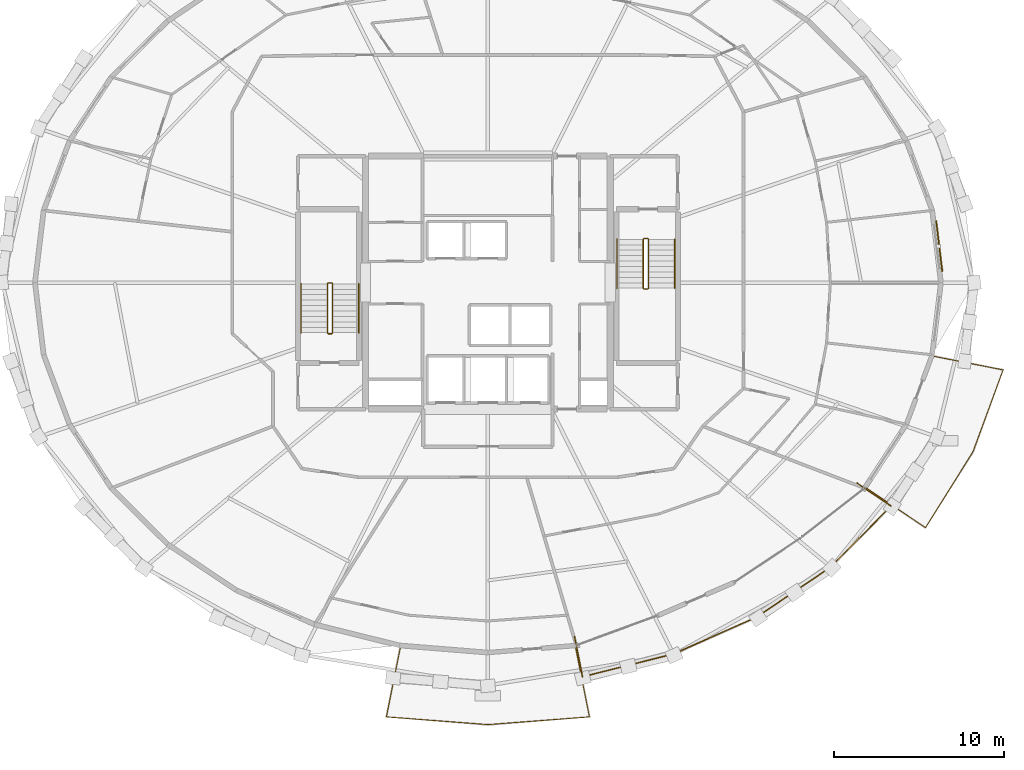
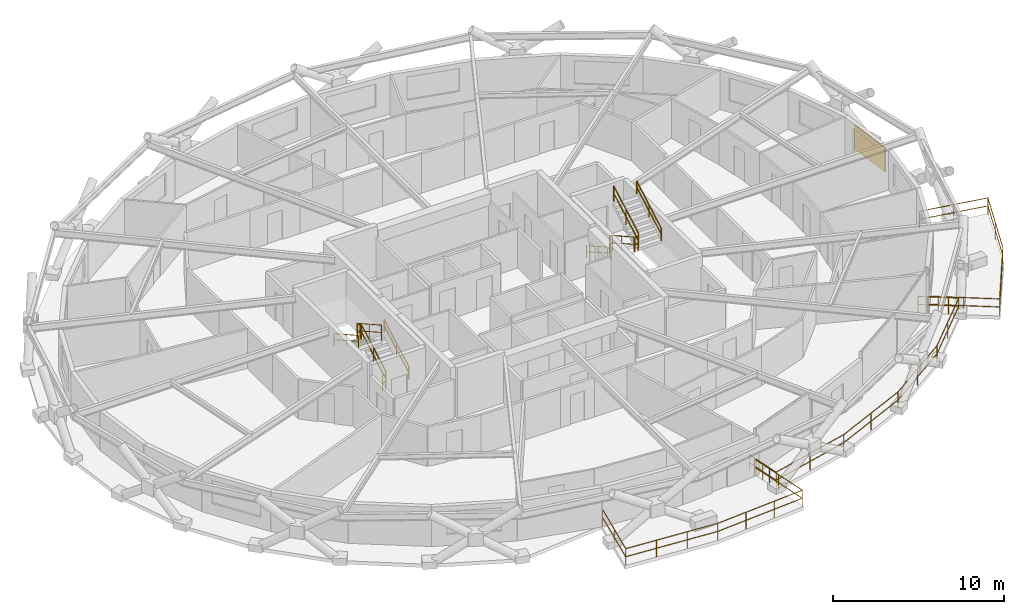
# One storey, part 12 of 12: 17 railings, 1 shading device.
"""IFC4 building model written with IfcOpenShell, lengths in metres."""

from ifc_helpers import new_model, si_unit, direction, frame, origin, origin_2d, place, context, subcontext, project, spatial, rectangle, circle, extrude, material, layer, layer_set, type_object, element, save


model = new_model("IFC4")

# Units and contexts
model_context = context("Model", 3, precision=1e-05, world=origin(), true_north=direction((0.0, 1.0)))
body_context = subcontext(model_context, "Body", "Model", "MODEL_VIEW")
ifc_project = project(units=[si_unit("LENGTHUNIT", "METRE"), si_unit("AREAUNIT", "SQUARE_METRE"), si_unit("VOLUMEUNIT", "CUBIC_METRE"), si_unit("PLANEANGLEUNIT", "RADIAN"), si_unit("MASSUNIT", "GRAM", prefix="KILO")], contexts=[model_context])

# Site, building, storey
site_placement = place(None, origin())
site = spatial("IfcSite", under=ifc_project, at=site_placement, CompositionType="ELEMENT")
building_placement = place(site_placement, origin())
building = spatial("IfcBuilding", under=site, at=building_placement, Name="Veldorina Hangang Commons", CompositionType="ELEMENT")
storey_placement = place(building_placement, frame((0.0, 0.0, 124.39990234375)))
storey = spatial("IfcBuildingStorey", under=building, at=storey_placement, Name="L31", CompositionType="ELEMENT", Elevation=124.39990234375)

# Railings
ifc_material_1 = material(Name="Glass Laminated Safety Balustrade", Category="glass")
railing_type_1 = type_object("IfcRailingType", Name="RL-BAL-LOGGIA", PredefinedType="BALUSTRADE", material=ifc_material_1)
railing_1_placement = place(storey_placement, frame((37.1025390625, 3.150146484375, 0.0)))
element("IfcRailing", 1, at=railing_1_placement, inside=storey, type_object=railing_type_1, Name="L31 sky-garden loggia end balustrade A", PredefinedType="BALUSTRADE", context=body_context, shape_type="SweptSolid", body=[
    extrude(circle(Radius=0.02392578125, at=origin_2d()), frame((0.0, 0.0, 1.17578125), z_axis=(0.193180805567, -0.981163175196, 0.0), x_axis=(0.981163175196, 0.193180805567, 0.0)), (0.0, 0.0, 1.0), 2.39990234375),
    extrude(circle(Radius=0.02392578125, at=origin_2d()), frame((0.0, 0.0, 0.60009765625), z_axis=(0.193180805567, -0.981163175196, 0.0), x_axis=(0.981163175196, 0.193180805567, 0.0)), (0.0, 0.0, 1.0), 2.39990234375),
    extrude(circle(Radius=0.02099609375, at=origin_2d()), origin(), (0.0, 0.0, 1.0), 1.15185546875),
    extrude(circle(Radius=0.02099609375, at=origin_2d()), frame((0.115966796875, -0.588623046875, 0.0)), (0.0, 0.0, 1.0), 1.15185546875),
    extrude(circle(Radius=0.02099609375, at=origin_2d()), frame((0.23193359375, -1.17724609375, 0.0)), (0.0, 0.0, 1.0), 1.15185546875),
    extrude(circle(Radius=0.02099609375, at=origin_2d()), frame((0.34765625, -1.76611328125, 0.0)), (0.0, 0.0, 1.0), 1.15185546875),
    extrude(circle(Radius=0.02099609375, at=origin_2d()), frame((0.463623046875, -2.354736328125, 0.0)), (0.0, 0.0, 1.0), 1.15185546875),
])
railing_2_placement = place(storey_placement, frame((53.741943359375, 12.1923828125, 0.0)))
element("IfcRailing", 2, at=railing_2_placement, inside=storey, type_object=railing_type_1, Name="L31 sky-garden loggia end balustrade B", PredefinedType="BALUSTRADE", context=body_context, shape_type="SweptSolid", body=[
    extrude(circle(Radius=0.02392578125, at=origin_2d()), frame((0.0, 0.0, 1.17578125), z_axis=(0.82911269588, -0.559081512421, 0.0), x_axis=(0.559081512421, 0.82911269588, 0.0)), (0.0, 0.0, 1.0), 2.400390625),
    extrude(circle(Radius=0.02392578125, at=origin_2d()), frame((0.0, 0.0, 0.60009765625), z_axis=(0.82911269588, -0.559081512421, 0.0), x_axis=(0.559081512421, 0.82911269588, 0.0)), (0.0, 0.0, 1.0), 2.400390625),
    extrude(circle(Radius=0.02099609375, at=origin_2d()), origin(), (0.0, 0.0, 1.0), 1.15185546875),
    extrude(circle(Radius=0.02099609375, at=origin_2d()), frame((0.49755859375, -0.33544921875, 0.0)), (0.0, 0.0, 1.0), 1.15185546875),
    extrude(circle(Radius=0.02099609375, at=origin_2d()), frame((0.9951171875, -0.6708984375, 0.0)), (0.0, 0.0, 1.0), 1.15185546875),
    extrude(circle(Radius=0.02099609375, at=origin_2d()), frame((1.49267578125, -1.006591796875, 0.0)), (0.0, 0.0, 1.0), 1.15185546875),
    extrude(circle(Radius=0.02099609375, at=origin_2d()), frame((1.990234375, -1.342041015625, 0.0)), (0.0, 0.0, 1.0), 1.15185546875),
])
railing_3_placement = place(storey_placement, frame((37.566162109375, 0.79541015625, 0.0)))
element("IfcRailing", 3, at=railing_3_placement, inside=storey, type_object=railing_type_1, Name="L31 sky-garden loggia outer balustrade", PredefinedType="BALUSTRADE", context=body_context, shape_type="SweptSolid", body=[
    extrude(circle(Radius=0.02392578125, at=origin_2d()), frame((0.0, 0.0, 1.17578125), z_axis=(0.969876514785, 0.243597097825, 0.0), x_axis=(-0.243597097825, 0.969876514785, 0.0)), (0.0, 0.0, 1.0), 5.519287109375),
    extrude(circle(Radius=0.02392578125, at=origin_2d()), frame((0.0, 0.0, 0.60009765625), z_axis=(0.969876514785, 0.243597097825, 0.0), x_axis=(-0.243597097825, 0.969876514785, 0.0)), (0.0, 0.0, 1.0), 5.519287109375),
    extrude(circle(Radius=0.02392578125, at=origin_2d()), frame((5.35302734375, 1.344482421875, 1.17578125), z_axis=(0.914407524268, 0.404794861087, 0.0), x_axis=(-0.404794861087, 0.914407524268, 0.0)), (0.0, 0.0, 1.0), 5.396728515625),
    extrude(circle(Radius=0.02392578125, at=origin_2d()), frame((5.35302734375, 1.344482421875, 0.60009765625), z_axis=(0.914407524268, 0.404794861087, 0.0), x_axis=(-0.404794861087, 0.914407524268, 0.0)), (0.0, 0.0, 1.0), 5.396728515625),
    extrude(circle(Radius=0.02392578125, at=origin_2d()), frame((10.287841796875, 3.529052734375, 1.17578125), z_axis=(0.827019369025, 0.562173428096, 0.0), x_axis=(-0.562173428096, 0.827019369025, 0.0)), (0.0, 0.0, 1.0), 5.2314453125),
    extrude(circle(Radius=0.02392578125, at=origin_2d()), frame((10.287841796875, 3.529052734375, 0.60009765625), z_axis=(0.827019369025, 0.562173428096, 0.0), x_axis=(-0.562173428096, 0.827019369025, 0.0)), (0.0, 0.0, 1.0), 5.2314453125),
    extrude(circle(Radius=0.02392578125, at=origin_2d()), frame((14.6142578125, 6.469970703125, 1.17578125), z_axis=(0.703809395372, 0.710388861812, 0.0), x_axis=(-0.710388861812, 0.703809395372, 0.0)), (0.0, 0.0, 1.0), 5.04638671875),
    extrude(circle(Radius=0.02392578125, at=origin_2d()), frame((14.6142578125, 6.469970703125, 0.60009765625), z_axis=(0.703809395372, 0.710388861812, 0.0), x_axis=(-0.710388861812, 0.703809395372, 0.0)), (0.0, 0.0, 1.0), 5.04638671875),
    extrude(circle(Radius=0.02099609375, at=origin_2d()), origin(), (0.0, 0.0, 1.0), 1.15185546875),
    extrude(circle(Radius=0.02099609375, at=origin_2d()), frame((2.676513671875, 0.67236328125, 0.0)), (0.0, 0.0, 1.0), 1.15185546875),
    extrude(circle(Radius=0.02099609375, at=origin_2d()), frame((5.35302734375, 1.344482421875, 0.0)), (0.0, 0.0, 1.0), 1.15185546875),
    extrude(circle(Radius=0.02099609375, at=origin_2d()), frame((7.8203125, 2.436767578125, 0.0)), (0.0, 0.0, 1.0), 1.15185546875),
    extrude(circle(Radius=0.02099609375, at=origin_2d()), frame((10.287841796875, 3.529052734375, 0.0)), (0.0, 0.0, 1.0), 1.15185546875),
    extrude(circle(Radius=0.02099609375, at=origin_2d()), frame((12.451171875, 4.99951171875, 0.0)), (0.0, 0.0, 1.0), 1.15185546875),
    extrude(circle(Radius=0.02099609375, at=origin_2d()), frame((14.6142578125, 6.469970703125, 0.0)), (0.0, 0.0, 1.0), 1.15185546875),
    extrude(circle(Radius=0.02099609375, at=origin_2d()), frame((16.39013671875, 8.262451171875, 0.0)), (0.0, 0.0, 1.0), 1.15185546875),
    extrude(circle(Radius=0.02099609375, at=origin_2d()), frame((18.166015625, 10.054931640625, 0.0)), (0.0, 0.0, 1.0), 1.15185546875),
])
railing_4_placement = place(storey_placement, frame((26.85791015625, 2.592529296875, 0.0)))
element("IfcRailing", 4, at=railing_4_placement, inside=storey, type_object=railing_type_1, Name="L31 planted tree balcony 1 balustrade", PredefinedType="BALUSTRADE", context=body_context, shape_type="SweptSolid", body=[
    extrude(circle(Radius=0.02392578125, at=origin_2d()), frame((0.0, 0.0, 1.17578125), z_axis=(-0.196747063086, -0.980454278978, 0.0), x_axis=(0.980454278978, -0.196747063086, 0.0)), (0.0, 0.0, 1.0), 4.241455078125),
    extrude(circle(Radius=0.02392578125, at=origin_2d()), frame((0.0, 0.0, 0.60009765625), z_axis=(-0.196747063086, -0.980454278978, 0.0), x_axis=(0.980454278978, -0.196747063086, 0.0)), (0.0, 0.0, 1.0), 4.241455078125),
    extrude(circle(Radius=0.02392578125, at=origin_2d()), frame((-0.83447265625, -4.158447265625, 1.17578125), z_axis=(0.997144361361, -0.075519021485, 0.0), x_axis=(0.075519021485, 0.997144361361, 0.0)), (0.0, 0.0, 1.0), 5.99365234375),
    extrude(circle(Radius=0.02392578125, at=origin_2d()), frame((-0.83447265625, -4.158447265625, 0.60009765625), z_axis=(0.997144361361, -0.075519021485, 0.0), x_axis=(0.075519021485, 0.997144361361, 0.0)), (0.0, 0.0, 1.0), 5.99365234375),
    extrude(circle(Radius=0.02392578125, at=origin_2d()), frame((5.14208984375, -4.611083984375, 1.17578125), z_axis=(0.997144361361, 0.075519021485, 0.0), x_axis=(-0.075519021485, 0.997144361361, 0.0)), (0.0, 0.0, 1.0), 5.99365234375),
    extrude(circle(Radius=0.02392578125, at=origin_2d()), frame((5.14208984375, -4.611083984375, 0.60009765625), z_axis=(0.997144361361, 0.075519021485, 0.0), x_axis=(-0.075519021485, 0.997144361361, 0.0)), (0.0, 0.0, 1.0), 5.99365234375),
    extrude(circle(Radius=0.02392578125, at=origin_2d()), frame((11.11865234375, -4.158447265625, 1.17578125), z_axis=(-0.196747063086, 0.980454278978, 0.0), x_axis=(-0.980454278978, -0.196747063086, 0.0)), (0.0, 0.0, 1.0), 4.241455078125),
    extrude(circle(Radius=0.02392578125, at=origin_2d()), frame((11.11865234375, -4.158447265625, 0.60009765625), z_axis=(-0.196747063086, 0.980454278978, 0.0), x_axis=(-0.980454278978, -0.196747063086, 0.0)), (0.0, 0.0, 1.0), 4.241455078125),
    extrude(circle(Radius=0.02099609375, at=origin_2d()), origin(), (0.0, 0.0, 1.0), 1.15185546875),
    extrude(circle(Radius=0.02099609375, at=origin_2d()), frame((-0.417236328125, -2.0791015625, 0.0)), (0.0, 0.0, 1.0), 1.15185546875),
    extrude(circle(Radius=0.02099609375, at=origin_2d()), frame((-0.83447265625, -4.158447265625, 0.0)), (0.0, 0.0, 1.0), 1.15185546875),
    extrude(circle(Radius=0.02099609375, at=origin_2d()), frame((1.15771484375, -4.309326171875, 0.0)), (0.0, 0.0, 1.0), 1.15185546875),
    extrude(circle(Radius=0.02099609375, at=origin_2d()), frame((3.14990234375, -4.460205078125, 0.0)), (0.0, 0.0, 1.0), 1.15185546875),
    extrude(circle(Radius=0.02099609375, at=origin_2d()), frame((5.14208984375, -4.611083984375, 0.0)), (0.0, 0.0, 1.0), 1.15185546875),
    extrude(circle(Radius=0.02099609375, at=origin_2d()), frame((7.13427734375, -4.460205078125, 0.0)), (0.0, 0.0, 1.0), 1.15185546875),
    extrude(circle(Radius=0.02099609375, at=origin_2d()), frame((9.12646484375, -4.309326171875, 0.0)), (0.0, 0.0, 1.0), 1.15185546875),
    extrude(circle(Radius=0.02099609375, at=origin_2d()), frame((11.11865234375, -4.158447265625, 0.0)), (0.0, 0.0, 1.0), 1.15185546875),
    extrude(circle(Radius=0.02099609375, at=origin_2d()), frame((10.701416015625, -2.0791015625, 0.0)), (0.0, 0.0, 1.0), 1.15185546875),
    extrude(circle(Radius=0.02099609375, at=origin_2d()), frame((10.2841796875, 0.0, 0.0)), (0.0, 0.0, 1.0), 1.15185546875),
])
railing_5_placement = place(storey_placement, frame((54.2451171875, 11.93115234375, 0.0)))
element("IfcRailing", 5, at=railing_5_placement, inside=storey, type_object=railing_type_1, Name="L31 planted tree balcony 2 balustrade", PredefinedType="BALUSTRADE", context=body_context, shape_type="SweptSolid", body=[
    extrude(circle(Radius=0.02392578125, at=origin_2d()), frame((0.0, 0.0, 1.17578125), z_axis=(0.830930742802, -0.556375862763, 0.0), x_axis=(0.556375862763, 0.830930742802, 0.0)), (0.0, 0.0, 1.0), 4.233642578125),
    extrude(circle(Radius=0.02392578125, at=origin_2d()), frame((0.0, 0.0, 0.60009765625), z_axis=(0.830930742802, -0.556375862763, 0.0), x_axis=(0.556375862763, 0.830930742802, 0.0)), (0.0, 0.0, 1.0), 4.233642578125),
    extrude(circle(Radius=0.02392578125, at=origin_2d()), frame((3.517822265625, -2.35546875, 1.17578125), z_axis=(0.529865602352, 0.848081625461, 0.0), x_axis=(-0.848081625461, 0.529865602352, 0.0)), (0.0, 0.0, 1.0), 5.266845703125),
    extrude(circle(Radius=0.02392578125, at=origin_2d()), frame((3.517822265625, -2.35546875, 0.60009765625), z_axis=(0.529865602352, 0.848081625461, 0.0), x_axis=(-0.848081625461, 0.529865602352, 0.0)), (0.0, 0.0, 1.0), 5.266845703125),
    extrude(circle(Radius=0.02392578125, at=origin_2d()), frame((6.30859375, 2.111328125, 1.17578125), z_axis=(0.346013701339, 0.9382294594, 0.0), x_axis=(-0.9382294594, 0.346013701339, 0.0)), (0.0, 0.0, 1.0), 5.13671875),
    extrude(circle(Radius=0.02392578125, at=origin_2d()), frame((6.30859375, 2.111328125, 0.60009765625), z_axis=(0.346013701339, 0.9382294594, 0.0), x_axis=(-0.9382294594, 0.346013701339, 0.0)), (0.0, 0.0, 1.0), 5.13671875),
    extrude(circle(Radius=0.02392578125, at=origin_2d()), frame((8.0859375, 6.9306640625, 1.17578125), z_axis=(-0.981285991626, 0.192555972741, 0.0), x_axis=(-0.192555972741, -0.981285991626, 0.0)), (0.0, 0.0, 1.0), 4.23486328125),
    extrude(circle(Radius=0.02392578125, at=origin_2d()), frame((8.0859375, 6.9306640625, 0.60009765625), z_axis=(-0.981285991626, 0.192555972741, 0.0), x_axis=(-0.192555972741, -0.981285991626, 0.0)), (0.0, 0.0, 1.0), 4.23486328125),
    extrude(circle(Radius=0.02099609375, at=origin_2d()), origin(), (0.0, 0.0, 1.0), 1.15185546875),
    extrude(circle(Radius=0.02099609375, at=origin_2d()), frame((1.7587890625, -1.177734375, 0.0)), (0.0, 0.0, 1.0), 1.15185546875),
    extrude(circle(Radius=0.02099609375, at=origin_2d()), frame((3.517822265625, -2.35546875, 0.0)), (0.0, 0.0, 1.0), 1.15185546875),
    extrude(circle(Radius=0.02099609375, at=origin_2d()), frame((4.9130859375, -0.1220703125, 0.0)), (0.0, 0.0, 1.0), 1.15185546875),
    extrude(circle(Radius=0.02099609375, at=origin_2d()), frame((6.30859375, 2.111328125, 0.0)), (0.0, 0.0, 1.0), 1.15185546875),
    extrude(circle(Radius=0.02099609375, at=origin_2d()), frame((7.197265625, 4.52099609375, 0.0)), (0.0, 0.0, 1.0), 1.15185546875),
    extrude(circle(Radius=0.02099609375, at=origin_2d()), frame((8.0859375, 6.9306640625, 0.0)), (0.0, 0.0, 1.0), 1.15185546875),
    extrude(circle(Radius=0.02099609375, at=origin_2d()), frame((6.00830078125, 7.33837890625, 0.0)), (0.0, 0.0, 1.0), 1.15185546875),
    extrude(circle(Radius=0.02099609375, at=origin_2d()), frame((3.930419921875, 7.74609375, 0.0)), (0.0, 0.0, 1.0), 1.15185546875),
])
ifc_material_2 = material(Name="Steel Painted Balustrade", Category="steel")
railing_type_2 = type_object("IfcRailingType", Name="RL-GRD-STAIR", PredefinedType="GUARDRAIL", material=ifc_material_2)
railing_6_placement = place(storey_placement, frame((22.85009765625, 21.050048828125, 0.18017578125)))
element("IfcRailing", 6, at=railing_6_placement, inside=storey, type_object=railing_type_2, Name="L31 ST-1 stair guard 1", PredefinedType="GUARDRAIL", context=body_context, shape_type="SweptSolid", body=[
    extrude(circle(Radius=0.02392578125, at=origin_2d()), frame((0.0, 0.0, 1.076171875), z_axis=(0.0, 0.871583430097, 0.490247207417), x_axis=(-1.0, 0.0, 0.0)), (0.0, 0.0, 1.0), 3.30419921875),
    extrude(circle(Radius=0.02392578125, at=origin_2d()), frame((0.0, 0.0, 0.550048828125), z_axis=(0.0, 0.871583430097, 0.490247207417), x_axis=(-1.0, 0.0, 0.0)), (0.0, 0.0, 1.0), 3.30419921875),
    extrude(circle(Radius=0.02099609375, at=origin_2d()), origin(), (0.0, 0.0, 1.0), 1.052001953125),
    extrude(circle(Radius=0.02099609375, at=origin_2d()), frame((0.0, 1.43994140625, 0.81005859375)), (0.0, 0.0, 1.0), 1.052001953125),
    extrude(circle(Radius=0.02099609375, at=origin_2d()), frame((0.0, 2.8798828125, 1.619873046875)), (0.0, 0.0, 1.0), 1.052001953125),
])
railing_7_placement = place(storey_placement, frame((22.800048828125, 23.97998046875, 1.800048828125)))
element("IfcRailing", 7, at=railing_7_placement, inside=storey, type_object=railing_type_2, Name="L31 ST-1 stair guard 2", PredefinedType="GUARDRAIL", context=body_context, shape_type="SweptSolid", body=[
    extrude(circle(Radius=0.02392578125, at=origin_2d()), frame((0.0, 0.0, 1.076171875), z_axis=(-1.0, 0.0, 0.0), x_axis=(0.0, -1.0, 0.0)), (0.0, 0.0, 1.0), 0.199951171875),
    extrude(circle(Radius=0.02392578125, at=origin_2d()), frame((0.0, 0.0, 0.550048828125), z_axis=(-1.0, 0.0, 0.0), x_axis=(0.0, -1.0, 0.0)), (0.0, 0.0, 1.0), 0.199951171875),
    extrude(circle(Radius=0.02099609375, at=origin_2d()), origin(), (0.0, 0.0, 1.0), 1.052001953125),
    extrude(circle(Radius=0.02099609375, at=origin_2d()), frame((-0.199951171875, 0.0, 0.0)), (0.0, 0.0, 1.0), 1.052001953125),
])
railing_8_placement = place(storey_placement, frame((22.550048828125, 23.929931640625, 1.97998046875)))
element("IfcRailing", 8, at=railing_8_placement, inside=storey, type_object=railing_type_2, Name="L31 ST-1 stair guard 3", PredefinedType="GUARDRAIL", context=body_context, shape_type="SweptSolid", body=[
    extrude(circle(Radius=0.02392578125, at=origin_2d()), frame((0.0, 0.0, 1.076171875), z_axis=(0.0, -0.87155185771, 0.490303333991), x_axis=(1.0, 0.0, 0.0)), (0.0, 0.0, 1.0), 3.30419921875),
    extrude(circle(Radius=0.02392578125, at=origin_2d()), frame((0.0, 0.0, 0.550048828125), z_axis=(0.0, -0.87155185771, 0.490303333991), x_axis=(1.0, 0.0, 0.0)), (0.0, 0.0, 1.0), 3.30419921875),
    extrude(circle(Radius=0.02099609375, at=origin_2d()), origin(), (0.0, 0.0, 1.0), 1.052001953125),
    extrude(circle(Radius=0.02099609375, at=origin_2d()), frame((0.0, -1.43994140625, 0.81005859375)), (0.0, 0.0, 1.0), 1.052001953125),
    extrude(circle(Radius=0.02099609375, at=origin_2d()), frame((0.0, -2.8798828125, 1.6201171875)), (0.0, 0.0, 1.0), 1.052001953125),
])
railing_9_placement = place(storey_placement, frame((22.800048828125, 21.0, 0.0)))
element("IfcRailing", 9, at=railing_9_placement, inside=storey, type_object=railing_type_2, Name="L31 ST-1 stair guard 4", PredefinedType="GUARDRAIL", context=body_context, shape_type="SweptSolid", body=[
    extrude(circle(Radius=0.02392578125, at=origin_2d()), frame((0.0, 0.0, 1.076171875), z_axis=(-1.0, 0.0, 0.0), x_axis=(0.0, -1.0, 0.0)), (0.0, 0.0, 1.0), 0.199951171875),
    extrude(circle(Radius=0.02392578125, at=origin_2d()), frame((0.0, 0.0, 0.550048828125), z_axis=(-1.0, 0.0, 0.0), x_axis=(0.0, -1.0, 0.0)), (0.0, 0.0, 1.0), 0.199951171875),
    extrude(circle(Radius=0.02099609375, at=origin_2d()), origin(), (0.0, 0.0, 1.0), 1.052001953125),
    extrude(circle(Radius=0.02099609375, at=origin_2d()), frame((-0.199951171875, 0.0, 0.0)), (0.0, 0.0, 1.0), 1.052001953125),
])
railing_10_placement = place(storey_placement, frame((41.14990234375, 26.550048828125, 0.18017578125)))
element("IfcRailing", 10, at=railing_10_placement, inside=storey, type_object=railing_type_2, Name="L31 ST-2 stair guard 1", PredefinedType="GUARDRAIL", context=body_context, shape_type="SweptSolid", body=[
    extrude(circle(Radius=0.02392578125, at=origin_2d()), frame((0.0, 0.0, 1.076171875), z_axis=(0.0, -0.871601186807, 0.490215637405), x_axis=(1.0, 0.0, 0.0)), (0.0, 0.0, 1.0), 3.304443359375),
    extrude(circle(Radius=0.02392578125, at=origin_2d()), frame((0.0, 0.0, 0.550048828125), z_axis=(0.0, -0.871601186807, 0.490215637405), x_axis=(1.0, 0.0, 0.0)), (0.0, 0.0, 1.0), 3.304443359375),
    extrude(circle(Radius=0.02099609375, at=origin_2d()), origin(), (0.0, 0.0, 1.0), 1.052001953125),
    extrude(circle(Radius=0.02099609375, at=origin_2d()), frame((0.0, -1.43994140625, 0.81005859375)), (0.0, 0.0, 1.0), 1.052001953125),
    extrude(circle(Radius=0.02099609375, at=origin_2d()), frame((0.0, -2.880126953125, 1.619873046875)), (0.0, 0.0, 1.0), 1.052001953125),
])
railing_11_placement = place(storey_placement, frame((41.199951171875, 23.6201171875, 1.800048828125)))
element("IfcRailing", 11, at=railing_11_placement, inside=storey, type_object=railing_type_2, Name="L31 ST-2 stair guard 2", PredefinedType="GUARDRAIL", context=body_context, shape_type="SweptSolid", body=[
    extrude(circle(Radius=0.02392578125, at=origin_2d()), frame((0.0, 0.0, 1.076171875), z_axis=(1.0, 0.0, 0.0), x_axis=(0.0, 1.0, 0.0)), (0.0, 0.0, 1.0), 0.199951171875),
    extrude(circle(Radius=0.02392578125, at=origin_2d()), frame((0.0, 0.0, 0.550048828125), z_axis=(1.0, 0.0, 0.0), x_axis=(0.0, 1.0, 0.0)), (0.0, 0.0, 1.0), 0.199951171875),
    extrude(circle(Radius=0.02099609375, at=origin_2d()), origin(), (0.0, 0.0, 1.0), 1.052001953125),
    extrude(circle(Radius=0.02099609375, at=origin_2d()), frame((0.199951171875, 0.0, 0.0)), (0.0, 0.0, 1.0), 1.052001953125),
])
railing_12_placement = place(storey_placement, frame((41.449951171875, 23.669921875, 1.97998046875)))
element("IfcRailing", 12, at=railing_12_placement, inside=storey, type_object=railing_type_2, Name="L31 ST-2 stair guard 3", PredefinedType="GUARDRAIL", context=body_context, shape_type="SweptSolid", body=[
    extrude(circle(Radius=0.02392578125, at=origin_2d()), frame((0.0, 0.0, 1.076171875), z_axis=(0.0, 0.871569617843, 0.490271762652), x_axis=(-1.0, 0.0, 0.0)), (0.0, 0.0, 1.0), 3.304443359375),
    extrude(circle(Radius=0.02392578125, at=origin_2d()), frame((0.0, 0.0, 0.550048828125), z_axis=(0.0, 0.871569617843, 0.490271762652), x_axis=(-1.0, 0.0, 0.0)), (0.0, 0.0, 1.0), 3.304443359375),
    extrude(circle(Radius=0.02099609375, at=origin_2d()), origin(), (0.0, 0.0, 1.0), 1.052001953125),
    extrude(circle(Radius=0.02099609375, at=origin_2d()), frame((0.0, 1.43994140625, 0.81005859375)), (0.0, 0.0, 1.0), 1.052001953125),
    extrude(circle(Radius=0.02099609375, at=origin_2d()), frame((0.0, 2.880126953125, 1.6201171875)), (0.0, 0.0, 1.0), 1.052001953125),
])
railing_13_placement = place(storey_placement, frame((41.199951171875, 26.60009765625, 0.0)))
element("IfcRailing", 13, at=railing_13_placement, inside=storey, type_object=railing_type_2, Name="L31 ST-2 stair guard 4", PredefinedType="GUARDRAIL", context=body_context, shape_type="SweptSolid", body=[
    extrude(circle(Radius=0.02392578125, at=origin_2d()), frame((0.0, 0.0, 1.076171875), z_axis=(1.0, 0.0, 0.0), x_axis=(0.0, 1.0, 0.0)), (0.0, 0.0, 1.0), 0.199951171875),
    extrude(circle(Radius=0.02392578125, at=origin_2d()), frame((0.0, 0.0, 0.550048828125), z_axis=(1.0, 0.0, 0.0), x_axis=(0.0, 1.0, 0.0)), (0.0, 0.0, 1.0), 0.199951171875),
    extrude(circle(Radius=0.02099609375, at=origin_2d()), origin(), (0.0, 0.0, 1.0), 1.052001953125),
    extrude(circle(Radius=0.02099609375, at=origin_2d()), frame((0.199951171875, 0.0, 0.0)), (0.0, 0.0, 1.0), 1.052001953125),
])
ifc_material_3 = material(Name="Stainless Steel Brushed 316", Category="steel")
railing_type_3 = type_object("IfcRailingType", Name="RL-HND-STAIR", PredefinedType="HANDRAIL", material=ifc_material_3)
railing_14_placement = place(storey_placement, frame((24.39990234375, 21.050048828125, 0.18017578125)))
element("IfcRailing", 14, at=railing_14_placement, inside=storey, type_object=railing_type_3, Name="L31 ST-1 stair handrail 1", PredefinedType="HANDRAIL", context=body_context, shape_type="SweptSolid", body=[
    extrude(circle(Radius=0.02392578125, at=origin_2d()), frame((0.0, 0.0, 0.8759765625), z_axis=(0.0, 0.871583430097, 0.490247207417), x_axis=(-1.0, 0.0, 0.0)), (0.0, 0.0, 1.0), 3.30419921875),
    extrude(circle(Radius=0.02392578125, at=origin_2d()), frame((0.0, 0.0, 0.449951171875), z_axis=(0.0, 0.871583430097, 0.490247207417), x_axis=(-1.0, 0.0, 0.0)), (0.0, 0.0, 1.0), 3.30419921875),
    extrude(circle(Radius=0.02099609375, at=origin_2d()), origin(), (0.0, 0.0, 1.0), 0.851806640625),
    extrude(circle(Radius=0.02099609375, at=origin_2d()), frame((0.0, 1.43994140625, 0.81005859375)), (0.0, 0.0, 1.0), 0.851806640625),
    extrude(circle(Radius=0.02099609375, at=origin_2d()), frame((0.0, 2.8798828125, 1.619873046875)), (0.0, 0.0, 1.0), 0.851806640625),
])
railing_15_placement = place(storey_placement, frame((21.0, 23.929931640625, 1.97998046875)))
element("IfcRailing", 15, at=railing_15_placement, inside=storey, type_object=railing_type_3, Name="L31 ST-1 stair handrail 2", PredefinedType="HANDRAIL", context=body_context, shape_type="SweptSolid", body=[
    extrude(circle(Radius=0.02392578125, at=origin_2d()), frame((0.0, 0.0, 0.8759765625), z_axis=(0.0, -0.87155185771, 0.490303333991), x_axis=(1.0, 0.0, 0.0)), (0.0, 0.0, 1.0), 3.30419921875),
    extrude(circle(Radius=0.02392578125, at=origin_2d()), frame((0.0, 0.0, 0.449951171875), z_axis=(0.0, -0.87155185771, 0.490303333991), x_axis=(1.0, 0.0, 0.0)), (0.0, 0.0, 1.0), 3.30419921875),
    extrude(circle(Radius=0.02099609375, at=origin_2d()), origin(), (0.0, 0.0, 1.0), 0.851806640625),
    extrude(circle(Radius=0.02099609375, at=origin_2d()), frame((0.0, -1.43994140625, 0.81005859375)), (0.0, 0.0, 1.0), 0.851806640625),
    extrude(circle(Radius=0.02099609375, at=origin_2d()), frame((0.0, -2.8798828125, 1.6201171875)), (0.0, 0.0, 1.0), 0.851806640625),
])
railing_16_placement = place(storey_placement, frame((39.60009765625, 26.550048828125, 0.18017578125)))
element("IfcRailing", 16, at=railing_16_placement, inside=storey, type_object=railing_type_3, Name="L31 ST-2 stair handrail 1", PredefinedType="HANDRAIL", context=body_context, shape_type="SweptSolid", body=[
    extrude(circle(Radius=0.02392578125, at=origin_2d()), frame((0.0, 0.0, 0.8759765625), z_axis=(0.0, -0.871601186807, 0.490215637405), x_axis=(1.0, 0.0, 0.0)), (0.0, 0.0, 1.0), 3.304443359375),
    extrude(circle(Radius=0.02392578125, at=origin_2d()), frame((0.0, 0.0, 0.449951171875), z_axis=(0.0, -0.871601186807, 0.490215637405), x_axis=(1.0, 0.0, 0.0)), (0.0, 0.0, 1.0), 3.304443359375),
    extrude(circle(Radius=0.02099609375, at=origin_2d()), origin(), (0.0, 0.0, 1.0), 0.851806640625),
    extrude(circle(Radius=0.02099609375, at=origin_2d()), frame((0.0, -1.43994140625, 0.81005859375)), (0.0, 0.0, 1.0), 0.851806640625),
    extrude(circle(Radius=0.02099609375, at=origin_2d()), frame((0.0, -2.880126953125, 1.619873046875)), (0.0, 0.0, 1.0), 0.851806640625),
])
railing_17_placement = place(storey_placement, frame((43.0, 23.669921875, 1.97998046875)))
element("IfcRailing", 17, at=railing_17_placement, inside=storey, type_object=railing_type_3, Name="L31 ST-2 stair handrail 2", PredefinedType="HANDRAIL", context=body_context, shape_type="SweptSolid", body=[
    extrude(circle(Radius=0.02392578125, at=origin_2d()), frame((0.0, 0.0, 0.8759765625), z_axis=(0.0, 0.871569617843, 0.490271762652), x_axis=(-1.0, 0.0, 0.0)), (0.0, 0.0, 1.0), 3.304443359375),
    extrude(circle(Radius=0.02392578125, at=origin_2d()), frame((0.0, 0.0, 0.449951171875), z_axis=(0.0, 0.871569617843, 0.490271762652), x_axis=(-1.0, 0.0, 0.0)), (0.0, 0.0, 1.0), 3.304443359375),
    extrude(circle(Radius=0.02099609375, at=origin_2d()), origin(), (0.0, 0.0, 1.0), 0.851806640625),
    extrude(circle(Radius=0.02099609375, at=origin_2d()), frame((0.0, 1.43994140625, 0.81005859375)), (0.0, 0.0, 1.0), 0.851806640625),
    extrude(circle(Radius=0.02099609375, at=origin_2d()), frame((0.0, 2.880126953125, 1.6201171875)), (0.0, 0.0, 1.0), 0.851806640625),
])

# Shading device
ifc_material_4 = material(Name="Ceramic Glazed Terracotta", Category="masonry")
ifc_layer = layer(ifc_material_4, 0.06005859375)
ifc_layer_set = layer_set([ifc_layer], Name="Ceramic Glazed Terracotta")
shading_device_type = type_object("IfcShadingDeviceType", Name="SCR-CER-3000", PredefinedType="USERDEFINED", material=ifc_layer_set)
shading_device_placement = place(storey_placement, frame((58.569091796875, 26.1435546875, 0.75), z_axis=(0.0, 0.0, 1.0), x_axis=(-0.119738310827, 0.992805487958, 0.0)))
element("IfcShadingDevice", 18, at=shading_device_placement, inside=storey, type_object=shading_device_type, Name="L31 PERFORATED CERAMIC SOLAR SCREEN 00", ObjectType="SCREEN", PredefinedType="USERDEFINED", context=body_context, shape_type="SweptSolid", body=[
    extrude(rectangle(XDim=3.0, YDim=0.06005859375, at=origin_2d()), origin(), (0.0, 0.0, 1.0), 1.75),
])

save(model, "model.ifc")
